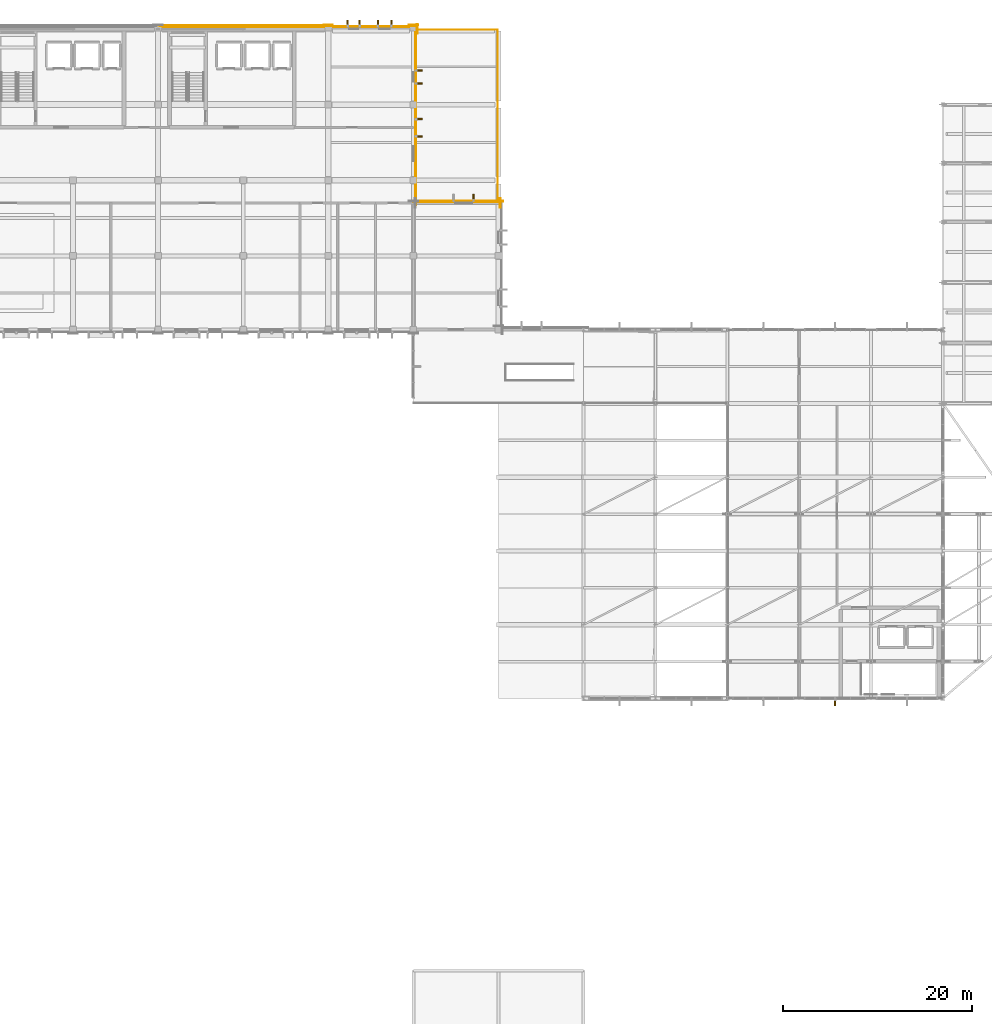
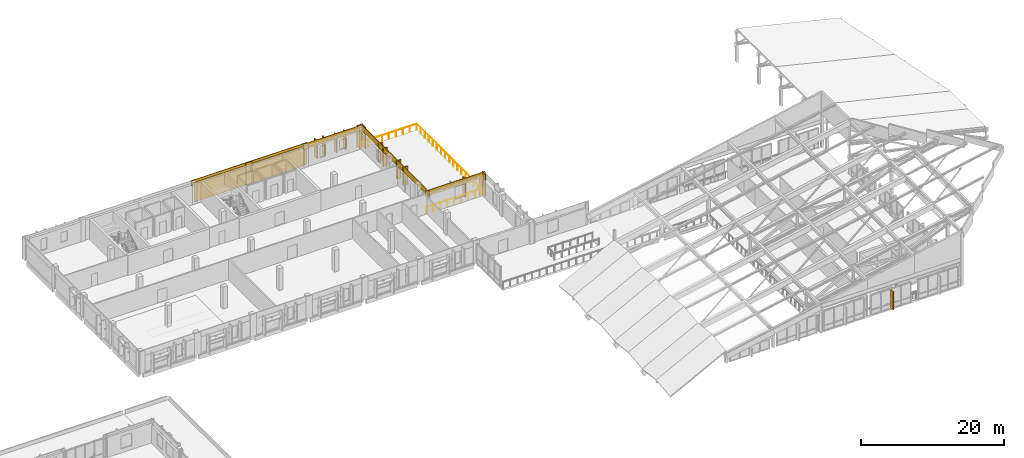
# One storey, part 71 of 73: 13 coverings, 10 shading devices, 3 railings.
"""IFC4 building model written with IfcOpenShell, lengths in metres."""

import ifcopenshell
import ifcopenshell.guid

model = None  # the IFC model being written
_history = None  # IfcOwnerHistory: only IFC2X3 demands one
_inside = {}  # id of a spatial element -> (the spatial element, [elements in it])
_under = {}  # id of a project, library or spatial element -> (it, [spatial elements below it])
_declared = {}  # id of a project -> (the project, [libraries it declares])
_typed = {}  # id of a type object -> (the type object, [elements of that type])
_made_of = {}  # id of a material, layer set ... -> (it, [elements and type objects made of it])


def new_model(schema):
    """Start an empty IFC model of exactly this schema.

    Asked for "IFC4X3", IfcOpenShell would pick the latest addendum, in which some entities
    have other attributes; the version numbers below select the first issue.
    IFC2X3 requires an IfcOwnerHistory on every rooted entity: one is made here for all.
    """
    global model, _history
    if schema == "IFC4X3":
        model = ifcopenshell.file(schema_version=(4, 3, 0, 0))
    else:
        model = ifcopenshell.file(schema=schema)
    _inside.clear()
    _under.clear()
    _declared.clear()
    _typed.clear()
    _made_of.clear()
    _history = None
    if model.schema == "IFC2X3":
        org = make("IfcOrganization", Name="unknown")
        user = make(
            "IfcPersonAndOrganization",
            ThePerson=make("IfcPerson", FamilyName="unknown"),
            TheOrganization=org,
        )
        app = make(
            "IfcApplication",
            ApplicationDeveloper=org,
            Version="unknown",
            ApplicationFullName="unknown",
            ApplicationIdentifier="unknown",
        )
        _history = make(
            "IfcOwnerHistory",
            OwningUser=user,
            OwningApplication=app,
            ChangeAction="ADDED",
            CreationDate=0,
        )
    return model


def make(cls, **values):
    """One entity of the class cls with the attributes given. An attribute that is None is left unset."""
    return model.create_entity(
        cls, **{name: value for name, value in values.items() if value is not None}
    )


def rooted(cls, **values):
    """An entity with a GlobalId (a new one), such as an element, a storey or a relation."""
    return make(cls, GlobalId=ifcopenshell.guid.new(), OwnerHistory=_history, **values)


def si_unit(unit_type, name, prefix=None):
    """IfcSIUnit, for example si_unit("LENGTHUNIT", "METRE", prefix="MILLI")."""
    return make("IfcSIUnit", UnitType=unit_type, Prefix=prefix, Name=name)


def assignment(units):
    """IfcUnitAssignment: the units of a project."""
    return None if units is None else make("IfcUnitAssignment", Units=units)


def point(xyz):
    """IfcCartesianPoint."""
    return None if xyz is None else make("IfcCartesianPoint", Coordinates=xyz)


def direction(xyz):
    """IfcDirection."""
    return None if xyz is None else make("IfcDirection", DirectionRatios=xyz)


def frame(location, z_axis=None, x_axis=None):
    """IfcAxis2Placement3D, a coordinate frame: its origin and axes. An axis left out is left unset."""
    return make(
        "IfcAxis2Placement3D",
        Location=point(location),
        Axis=direction(z_axis),
        RefDirection=direction(x_axis),
    )


def frame_2d(location, x_axis=None):
    """IfcAxis2Placement2D, a coordinate frame in the plane: its origin and x axis."""
    return make(
        "IfcAxis2Placement2D", Location=point(location), RefDirection=direction(x_axis)
    )


def origin():
    """The frame at (0, 0, 0) with its axes left unset."""
    return frame((0.0, 0.0, 0.0))


def origin_2d():
    """The frame at (0, 0) in the plane with its x axis left unset."""
    return frame_2d((0.0, 0.0))


def place(relative_to, where):
    """IfcLocalPlacement: puts the frame where relative to a parent placement (None: the world)."""
    return make(
        "IfcLocalPlacement", PlacementRelTo=relative_to, RelativePlacement=where
    )


def context(
    kind, dimensions, precision=None, world=None, true_north=None, identifier=None
):
    """IfcGeometricRepresentationContext, for example the 3D "Model" context."""
    return make(
        "IfcGeometricRepresentationContext",
        ContextIdentifier=identifier,
        ContextType=kind,
        CoordinateSpaceDimension=dimensions,
        Precision=precision,
        WorldCoordinateSystem=world,
        TrueNorth=true_north,
    )


def subcontext(parent, identifier, kind, view, scale=None):
    """IfcGeometricRepresentationSubContext, for example "Body" below "Model"."""
    return make(
        "IfcGeometricRepresentationSubContext",
        ContextIdentifier=identifier,
        ContextType=kind,
        ParentContext=parent,
        TargetScale=scale,
        TargetView=view,
    )


def project(units=None, contexts=None):
    """IfcProject with its units and contexts."""
    return rooted(
        "IfcProject",
        Name="project",
        RepresentationContexts=contexts,
        UnitsInContext=assignment(units),
    )


def spatial(cls, under=None, at=None, **own):
    """A site, building, storey or space (cls), placed at a placement, below another one or the project."""
    s = rooted(cls, ObjectPlacement=at, **own)
    if under is not None:
        _under.setdefault(under.id(), (under, []))[1].append(s)
    return s


def profile(cls, at=None, kind="AREA", **sizes):
    """A parametric profile (cls). Its sizes go by their IFC names, for example OverallWidth=200.0."""
    return make(cls, ProfileType=kind, Position=at, **sizes)


def rectangle(**sizes):
    """IfcRectangleProfileDef."""
    return profile("IfcRectangleProfileDef", **sizes)


def circle(**sizes):
    """IfcCircleProfileDef."""
    return profile("IfcCircleProfileDef", **sizes)


def extrude(swept, where, along, depth):
    """IfcExtrudedAreaSolid: the profile swept, set in the frame where, extruded along a direction by depth."""
    return make(
        "IfcExtrudedAreaSolid",
        SweptArea=swept,
        Position=where,
        ExtrudedDirection=direction(along),
        Depth=depth,
    )


def shape(context_of_items, identifier, shape_type, items):
    """IfcShapeRepresentation: the items that make up one representation, for example the "Body"."""
    return make(
        "IfcShapeRepresentation",
        ContextOfItems=context_of_items,
        RepresentationIdentifier=identifier,
        RepresentationType=shape_type,
        Items=items,
    )


def material(Name=None, Category=None):
    """IfcMaterial."""
    return make("IfcMaterial", Name=Name, Category=Category)


def layer(
    of_material, thickness, ventilated=None, Name=None, Category=None, Priority=None
):
    """IfcMaterialLayer: one layer of a wall or slab, of a material (None: an air gap)."""
    return make(
        "IfcMaterialLayer",
        Material=of_material,
        LayerThickness=thickness,
        IsVentilated=ventilated,
        Name=Name,
        Category=Category,
        Priority=Priority,
    )


def layer_set(layers, Name=None):
    """IfcMaterialLayerSet."""
    return make("IfcMaterialLayerSet", MaterialLayers=layers, LayerSetName=Name)


def made_of(thing, what):
    """Note that an element or type object is made of a material, layer set ...; save() writes the relation."""
    if what is not None:
        _made_of.setdefault(what.id(), (what, []))[1].append(thing)
    return thing


def type_object(cls, material=None, **own):
    """A type object (cls), such as IfcWallType, which elements share."""
    return made_of(rooted(cls, **own), material)


def element(
    cls,
    number,
    at=None,
    inside=None,
    cuts=None,
    type_object=None,
    material=None,
    context=None,
    identifier="Body",
    shape_type=None,
    held_by="IfcProductDefinitionShape",
    body=None,
    shapes=None,
    **own,
):
    """One element of the class cls, such as IfcWall. Its Tag is "e" and its number.

    at: its placement. inside: the storey or other place that contains it. cuts: it is an
    opening in that element (IfcRelVoidsElement). A single representation is given by context,
    identifier, shape_type and body (its items); several are given by shapes. held_by: the class
    of the entity that holds the representations. save() writes the other relations.
    """
    e = rooted(cls, Tag="e%d" % number, ObjectPlacement=at, **own)
    if body is not None:
        shapes = [shape(context, identifier, shape_type, body)]
    if shapes is not None:
        e.Representation = make(held_by, Representations=shapes)
    if inside is not None:
        _inside.setdefault(inside.id(), (inside, []))[1].append(e)
    if cuts is not None:
        rooted(
            "IfcRelVoidsElement", RelatingBuildingElement=cuts, RelatedOpeningElement=e
        )
    if type_object is not None:
        _typed.setdefault(type_object.id(), (type_object, []))[1].append(e)
    return made_of(e, material)


def aggregate(whole, parts):
    """IfcRelAggregates: a whole, such as a stair, and the parts it consists of."""
    return rooted("IfcRelAggregates", RelatingObject=whole, RelatedObjects=parts)


def save(model, path):
    """Write the relations noted so far, then the file.

    IfcRelAggregates (storeys below a building ...), IfcRelContainedInSpatialStructure (elements
    in a storey), IfcRelDefinesByType, IfcRelAssociatesMaterial and IfcRelDeclares: one each for
    every whole, place, type object, material and project.
    """
    for whole, parts in _under.values():
        aggregate(whole, parts)
    for where, things in _inside.values():
        rooted(
            "IfcRelContainedInSpatialStructure",
            RelatedElements=things,
            RelatingStructure=where,
        )
    for kind, things in _typed.values():
        rooted("IfcRelDefinesByType", RelatedObjects=things, RelatingType=kind)
    for what, things in _made_of.values():
        rooted("IfcRelAssociatesMaterial", RelatedObjects=things, RelatingMaterial=what)
    for by, libraries in _declared.values():
        rooted("IfcRelDeclares", RelatingContext=by, RelatedDefinitions=libraries)
    model.write(path)


model = new_model("IFC4")

# Units and contexts
model_context = context("Model", 3, precision=1e-05, world=origin(), true_north=direction((0.0, 1.0)))
body_context = subcontext(model_context, "Body", "Model", "MODEL_VIEW")
ifc_project = project(units=[si_unit("LENGTHUNIT", "METRE"), si_unit("AREAUNIT", "SQUARE_METRE"), si_unit("VOLUMEUNIT", "CUBIC_METRE"), si_unit("PLANEANGLEUNIT", "RADIAN"), si_unit("MASSUNIT", "GRAM", prefix="KILO")], contexts=[model_context])

# Site, building, storey
site_placement = place(None, origin())
site = spatial("IfcSite", under=ifc_project, at=site_placement, CompositionType="ELEMENT")
building_placement = place(site_placement, origin())
building = spatial("IfcBuilding", under=site, at=building_placement, Name="Vervanel Yard Central Library", CompositionType="ELEMENT")
storey_placement = place(building_placement, frame((0.0, 0.0, 12.780029296875)))
storey = spatial("IfcBuildingStorey", under=building, at=storey_placement, Name="L03", CompositionType="ELEMENT", Elevation=12.780029296875)

# Coverings
ifc_material_1 = material(Name="Precast concrete C45/55", Category="concrete")
ifc_layer = layer(ifc_material_1, 0.0849609375, Category="concrete")
ifc_layer_set = layer_set([ifc_layer], Name="Precast concrete C45/55")
covering_type = type_object("IfcCoveringType", Name="Bush-Hammered Precast Architectural Cladding Panel", PredefinedType="CLADDING", material=ifc_layer_set)
covering_1_placement = place(storey_placement, frame((67.5, 114.364990234375, 2.800048828125), z_axis=(0.0, 0.0, 1.0), x_axis=(1.0, 0.0, 0.0)))
element("IfcCovering", 1, at=covering_1_placement, inside=storey, type_object=covering_type, Name="L03 Precast Concrete Spandrel Cornice EWALL-L03-0047", PredefinedType="CLADDING", context=body_context, shape_type="SweptSolid", body=[
    extrude(rectangle(XDim=9.449951171875, YDim=0.0849609375, at=origin_2d()), origin(), (0.0, 0.0, 1.0), 0.9599609375),
])
covering_2_placement = place(storey_placement, frame((72.0, 114.232421875, 0.0), z_axis=(0.0, 0.0, 1.0), x_axis=(1.0, 0.0, 0.0)))
element("IfcCovering", 2, at=covering_2_placement, inside=storey, type_object=covering_type, Name="L03 Precast Concrete Pier Pilaster EWALL-L03-0047-B", PredefinedType="CLADDING", context=body_context, shape_type="SweptSolid", body=[
    extrude(rectangle(XDim=0.97998046875, YDim=0.0849609375, at=origin_2d()), origin(), (0.0, 0.0, 1.0), 3.760009765625),
])
covering_3_placement = place(storey_placement, frame((67.5, 114.232421875, 0.080078125), z_axis=(0.0, 0.0, 1.0), x_axis=(1.0, 0.0, 0.0)))
element("IfcCovering", 3, at=covering_3_placement, inside=storey, type_object=covering_type, Name="L03 Bush-Hammered Precast Cladding EWALL-L03-0047", PredefinedType="CLADDING", context=body_context, shape_type="SweptSolid", body=[
    extrude(rectangle(XDim=8.699951171875, YDim=0.0849609375, at=origin_2d()), origin(), (0.0, 0.0, 1.0), 3.260009765625),
])
covering_4_placement = place(storey_placement, frame((76.5, 114.364990234375, 2.800048828125), z_axis=(0.0, 0.0, 1.0), x_axis=(1.0, 0.0, 0.0)))
element("IfcCovering", 4, at=covering_4_placement, inside=storey, type_object=covering_type, Name="L03 Precast Concrete Spandrel Cornice EWALL-L03-0048", PredefinedType="CLADDING", context=body_context, shape_type="SweptSolid", body=[
    extrude(rectangle(XDim=9.449951171875, YDim=0.0849609375, at=origin_2d()), origin(), (0.0, 0.0, 1.0), 0.9599609375),
])
covering_5_placement = place(storey_placement, frame((81.0, 114.41748046875, 0.0), z_axis=(0.0, 0.0, 1.0), x_axis=(1.0, 0.0, 0.0)))
element("IfcCovering", 5, at=covering_5_placement, inside=storey, type_object=covering_type, Name="L03 Precast Concrete Pier Pilaster EWALL-L03-0048-B", PredefinedType="CLADDING", context=body_context, shape_type="SweptSolid", body=[
    extrude(rectangle(XDim=0.97998046875, YDim=0.0849609375, at=origin_2d()), origin(), (0.0, 0.0, 1.0), 3.760009765625),
])
covering_6_placement = place(storey_placement, frame((76.5, 114.232421875, 0.080078125), z_axis=(0.0, 0.0, 1.0), x_axis=(1.0, 0.0, 0.0)))
element("IfcCovering", 6, at=covering_6_placement, inside=storey, type_object=covering_type, Name="L03 Bush-Hammered Precast Cladding EWALL-L03-0048", PredefinedType="CLADDING", context=body_context, shape_type="SweptSolid", body=[
    extrude(rectangle(XDim=8.699951171875, YDim=0.0849609375, at=origin_2d()), origin(), (0.0, 0.0, 1.0), 3.260009765625),
])
covering_7_placement = place(storey_placement, frame((85.5, 114.22998046875, 2.800048828125), z_axis=(0.0, 0.0, 1.0), x_axis=(1.0, 0.0, 0.0)))
element("IfcCovering", 7, at=covering_7_placement, inside=storey, type_object=covering_type, Name="L03 Precast Concrete Spandrel Cornice EWALL-L03-0049", PredefinedType="CLADDING", context=body_context, shape_type="SweptSolid", body=[
    extrude(rectangle(XDim=9.449951171875, YDim=0.0849609375, at=origin_2d()), origin(), (0.0, 0.0, 1.0), 0.9599609375),
])
for number, where, z_axis, x_axis, name in (
    (8, (90.0, 114.41748046875, 0.0), (0.0, 0.0, 1.0), (1.0, 0.0, 0.0), "L03 Precast Concrete Pier Pilaster EWALL-L03-0049-B"),
    (9, (99.1923828125, 95.60009765625, 0.0), (0.0, 0.0, 1.0), (0.0, 1.0, 0.0), "L03 Precast Concrete Pier Pilaster EWALL-L03-0057-B"),
):
    element("IfcCovering", number, at=place(storey_placement, frame(where, z_axis=z_axis, x_axis=x_axis)), inside=storey, type_object=covering_type, Name=name, PredefinedType="CLADDING", context=body_context, shape_type="SweptSolid", body=[
        extrude(rectangle(XDim=0.97998046875, YDim=0.0849609375, at=origin_2d()), origin(), (0.0, 0.0, 1.0), 3.760009765625),
    ])
covering_8_placement = place(storey_placement, frame((94.5, 95.7900390625, 2.800048828125), z_axis=(0.0, 0.0, 1.0), x_axis=(-1.0, 0.0, 0.0)))
element("IfcCovering", 10, at=covering_8_placement, inside=storey, type_object=covering_type, Name="L03 Precast Concrete Spandrel Cornice EWALL-L03-0058", PredefinedType="CLADDING", context=body_context, shape_type="SweptSolid", body=[
    extrude(rectangle(XDim=9.449951171875, YDim=0.0849609375, at=origin_2d()), origin(), (0.0, 0.0, 1.0), 0.9599609375),
])
covering_9_placement = place(storey_placement, frame((99.0, 95.79248046875, 0.0), z_axis=(0.0, 0.0, 1.0), x_axis=(-1.0, 0.0, 0.0)))
element("IfcCovering", 11, at=covering_9_placement, inside=storey, type_object=covering_type, Name="L03 Precast Concrete Pier Pilaster EWALL-L03-0058-A", PredefinedType="CLADDING", context=body_context, shape_type="SweptSolid", body=[
    extrude(rectangle(XDim=0.97998046875, YDim=0.0849609375, at=origin_2d()), origin(), (0.0, 0.0, 1.0), 3.760009765625),
])
covering_10_placement = place(storey_placement, frame((90.25, 104.800048828125, 2.800048828125), z_axis=(0.0, 0.0, 1.0), x_axis=(0.0, 1.0, 0.0)))
element("IfcCovering", 12, at=covering_10_placement, inside=storey, type_object=covering_type, Name="L03 Precast Concrete Spandrel Cornice EWALL-L03-0059", PredefinedType="CLADDING", context=body_context, shape_type="SweptSolid", body=[
    extrude(rectangle(XDim=18.85009765625, YDim=0.0849609375, at=origin_2d()), origin(), (0.0, 0.0, 1.0), 0.9599609375),
])
covering_11_placement = place(storey_placement, frame((90.41748046875, 114.0, 0.0), z_axis=(0.0, 0.0, 1.0), x_axis=(0.0, 1.0, 0.0)))
element("IfcCovering", 13, at=covering_11_placement, inside=storey, type_object=covering_type, Name="L03 Precast Concrete Pier Pilaster EWALL-L03-0059-B", PredefinedType="CLADDING", context=body_context, shape_type="SweptSolid", body=[
    extrude(rectangle(XDim=0.97998046875, YDim=0.0849609375, at=origin_2d()), origin(), (0.0, 0.0, 1.0), 3.760009765625),
])

# Railings
ifc_material_2 = material(Name="Brushed stainless steel AISI 316", Category="steel")
railing_type = type_object("IfcRailingType", Name="Exterior Terrace Guardrail 1100", PredefinedType="GUARDRAIL", material=ifc_material_2)
railing_1_placement = place(storey_placement, frame((90.0, 95.679931640625, 0.0)))
element("IfcRailing", 14, at=railing_1_placement, inside=storey, type_object=railing_type, Name="L03 L03 Humanities Planted Roof Terrace Edge Guard 27", PredefinedType="GUARDRAIL", context=body_context, shape_type="SweptSolid", body=[
    extrude(circle(Radius=0.02392578125, at=origin_2d()), frame((0.0, 0.0, 1.076171875), z_axis=(1.0, 0.0, 0.0), x_axis=(0.0, 1.0, 0.0)), (0.0, 0.0, 1.0), 8.919921875),
    extrude(circle(Radius=0.02099609375, at=origin_2d()), origin(), (0.0, 0.0, 1.0), 1.052001953125),
    extrude(circle(Radius=0.02099609375, at=origin_2d()), frame((1.114990234375, 0.0, 0.0)), (0.0, 0.0, 1.0), 1.052001953125),
    extrude(circle(Radius=0.02099609375, at=origin_2d()), frame((2.22998046875, 0.0, 0.0)), (0.0, 0.0, 1.0), 1.052001953125),
    extrude(circle(Radius=0.02099609375, at=origin_2d()), frame((3.344970703125, 0.0, 0.0)), (0.0, 0.0, 1.0), 1.052001953125),
    extrude(circle(Radius=0.02099609375, at=origin_2d()), frame((4.4599609375, 0.0, 0.0)), (0.0, 0.0, 1.0), 1.052001953125),
    extrude(circle(Radius=0.02099609375, at=origin_2d()), frame((5.574951171875, 0.0, 0.0)), (0.0, 0.0, 1.0), 1.052001953125),
    extrude(circle(Radius=0.02099609375, at=origin_2d()), frame((6.68994140625, 0.0, 0.0)), (0.0, 0.0, 1.0), 1.052001953125),
    extrude(circle(Radius=0.02099609375, at=origin_2d()), frame((7.804931640625, 0.0, 0.0)), (0.0, 0.0, 1.0), 1.052001953125),
    extrude(circle(Radius=0.02099609375, at=origin_2d()), frame((8.919921875, 0.0, 0.0)), (0.0, 0.0, 1.0), 1.052001953125),
])
railing_2_placement = place(storey_placement, frame((98.919921875, 95.679931640625, 0.0)))
element("IfcRailing", 15, at=railing_2_placement, inside=storey, type_object=railing_type, Name="L03 L03 Humanities Planted Roof Terrace Edge Guard 28", PredefinedType="GUARDRAIL", context=body_context, shape_type="SweptSolid", body=[
    extrude(circle(Radius=0.02392578125, at=origin_2d()), frame((0.0, 0.0, 1.076171875), z_axis=(0.0, 1.0, 0.0), x_axis=(-1.0, 0.0, 0.0)), (0.0, 0.0, 1.0), 18.239990234375),
    extrude(circle(Radius=0.02099609375, at=origin_2d()), origin(), (0.0, 0.0, 1.0), 1.052001953125),
    extrude(circle(Radius=0.02099609375, at=origin_2d()), frame((0.0, 1.139892578125, 0.0)), (0.0, 0.0, 1.0), 1.052001953125),
    extrude(circle(Radius=0.02099609375, at=origin_2d()), frame((0.0, 2.280029296875, 0.0)), (0.0, 0.0, 1.0), 1.052001953125),
    extrude(circle(Radius=0.02099609375, at=origin_2d()), frame((0.0, 3.419921875, 0.0)), (0.0, 0.0, 1.0), 1.052001953125),
    extrude(circle(Radius=0.02099609375, at=origin_2d()), frame((0.0, 4.56005859375, 0.0)), (0.0, 0.0, 1.0), 1.052001953125),
    extrude(circle(Radius=0.02099609375, at=origin_2d()), frame((0.0, 5.699951171875, 0.0)), (0.0, 0.0, 1.0), 1.052001953125),
    extrude(circle(Radius=0.02099609375, at=origin_2d()), frame((0.0, 6.840087890625, 0.0)), (0.0, 0.0, 1.0), 1.052001953125),
    extrude(circle(Radius=0.02099609375, at=origin_2d()), frame((0.0, 7.97998046875, 0.0)), (0.0, 0.0, 1.0), 1.052001953125),
    extrude(circle(Radius=0.02099609375, at=origin_2d()), frame((0.0, 9.1201171875, 0.0)), (0.0, 0.0, 1.0), 1.052001953125),
    extrude(circle(Radius=0.02099609375, at=origin_2d()), frame((0.0, 10.260009765625, 0.0)), (0.0, 0.0, 1.0), 1.052001953125),
    extrude(circle(Radius=0.02099609375, at=origin_2d()), frame((0.0, 11.39990234375, 0.0)), (0.0, 0.0, 1.0), 1.052001953125),
    extrude(circle(Radius=0.02099609375, at=origin_2d()), frame((0.0, 12.5400390625, 0.0)), (0.0, 0.0, 1.0), 1.052001953125),
    extrude(circle(Radius=0.02099609375, at=origin_2d()), frame((0.0, 13.679931640625, 0.0)), (0.0, 0.0, 1.0), 1.052001953125),
    extrude(circle(Radius=0.02099609375, at=origin_2d()), frame((0.0, 14.820068359375, 0.0)), (0.0, 0.0, 1.0), 1.052001953125),
    extrude(circle(Radius=0.02099609375, at=origin_2d()), frame((0.0, 15.9599609375, 0.0)), (0.0, 0.0, 1.0), 1.052001953125),
    extrude(circle(Radius=0.02099609375, at=origin_2d()), frame((0.0, 17.10009765625, 0.0)), (0.0, 0.0, 1.0), 1.052001953125),
    extrude(circle(Radius=0.02099609375, at=origin_2d()), frame((0.0, 18.239990234375, 0.0)), (0.0, 0.0, 1.0), 1.052001953125),
])
railing_3_placement = place(storey_placement, frame((90.0, 113.919921875, 0.0)))
element("IfcRailing", 16, at=railing_3_placement, inside=storey, type_object=railing_type, Name="L03 L03 Humanities Planted Roof Terrace Edge Guard 29", PredefinedType="GUARDRAIL", context=body_context, shape_type="SweptSolid", body=[
    extrude(circle(Radius=0.02392578125, at=origin_2d()), frame((0.0, 0.0, 1.076171875), z_axis=(1.0, 0.0, 0.0), x_axis=(0.0, 1.0, 0.0)), (0.0, 0.0, 1.0), 8.919921875),
    extrude(circle(Radius=0.02099609375, at=origin_2d()), origin(), (0.0, 0.0, 1.0), 1.052001953125),
    extrude(circle(Radius=0.02099609375, at=origin_2d()), frame((1.114990234375, 0.0, 0.0)), (0.0, 0.0, 1.0), 1.052001953125),
    extrude(circle(Radius=0.02099609375, at=origin_2d()), frame((2.22998046875, 0.0, 0.0)), (0.0, 0.0, 1.0), 1.052001953125),
    extrude(circle(Radius=0.02099609375, at=origin_2d()), frame((3.344970703125, 0.0, 0.0)), (0.0, 0.0, 1.0), 1.052001953125),
    extrude(circle(Radius=0.02099609375, at=origin_2d()), frame((4.4599609375, 0.0, 0.0)), (0.0, 0.0, 1.0), 1.052001953125),
    extrude(circle(Radius=0.02099609375, at=origin_2d()), frame((5.574951171875, 0.0, 0.0)), (0.0, 0.0, 1.0), 1.052001953125),
    extrude(circle(Radius=0.02099609375, at=origin_2d()), frame((6.68994140625, 0.0, 0.0)), (0.0, 0.0, 1.0), 1.052001953125),
    extrude(circle(Radius=0.02099609375, at=origin_2d()), frame((7.804931640625, 0.0, 0.0)), (0.0, 0.0, 1.0), 1.052001953125),
    extrude(circle(Radius=0.02099609375, at=origin_2d()), frame((8.919921875, 0.0, 0.0)), (0.0, 0.0, 1.0), 1.052001953125),
])

# Shading devices
shading_device_type = type_object("IfcShadingDeviceType", Name="Vertical Precast Solar Fin 160x720x3200", PredefinedType="JALOUSIE", material=ifc_material_1)
for number, where, z_axis, x_axis, name in (
    (17, (83.0400390625, 114.590087890625, 0.474853515625), (0.0, 0.0, 1.0), (1.0, 0.0, 0.0), "L03 Precast Solar Fin 133"),
    (18, (84.320068359375, 114.590087890625, 0.474853515625), (0.0, 0.0, 1.0), (1.0, 0.0, 0.0), "L03 Precast Solar Fin 134"),
    (19, (86.239990234375, 114.590087890625, 0.324951171875), (0.0, 0.0, 1.0), (1.0, 0.0, 0.0), "L03 Precast Solar Fin 135"),
    (20, (87.659912109375, 114.590087890625, 0.324951171875), (0.0, 0.0, 1.0), (1.0, 0.0, 0.0), "L03 Precast Solar Fin 136"),
    (21, (96.360107421875, 96.14990234375, 0.449951171875), (0.0, 0.0, 1.0), (-1.0, 0.0, 0.0), "L03 Precast Solar Fin 171"),
    (22, (90.550048828125, 102.639892578125, 0.449951171875), (0.0, 0.0, 1.0), (0.0, 1.0, 0.0), "L03 Precast Solar Fin 173"),
    (23, (90.550048828125, 104.4599609375, 0.449951171875), (0.0, 0.0, 1.0), (0.0, 1.0, 0.0), "L03 Precast Solar Fin 174"),
    (24, (90.550048828125, 108.239990234375, 0.27490234375), (0.0, 0.0, 1.0), (0.0, 1.0, 0.0), "L03 Precast Solar Fin 175"),
    (25, (90.550048828125, 109.610107421875, 0.27490234375), (0.0, 0.0, 1.0), (0.0, 1.0, 0.0), "L03 Precast Solar Fin 176"),
    (26, (134.60009765625, 42.7900390625, 0.14990234375), (0.0, 0.0, 1.0), (1.0, 0.0, 0.0), "L03 Precast Solar Fin 464"),
):
    element("IfcShadingDevice", number, at=place(storey_placement, frame(where, z_axis=z_axis, x_axis=x_axis)), inside=storey, type_object=shading_device_type, Name=name, PredefinedType="JALOUSIE", context=body_context, shape_type="SweptSolid", body=[
        extrude(rectangle(XDim=0.159912109375, YDim=0.719970703125, at=origin_2d()), origin(), (0.0, 0.0, 1.0), 3.10009765625),
    ])

save(model, "model.ifc")
